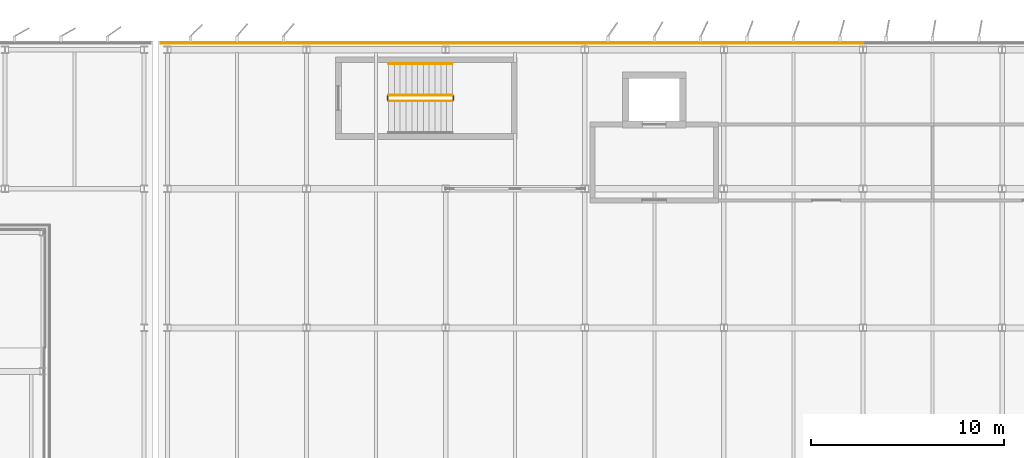
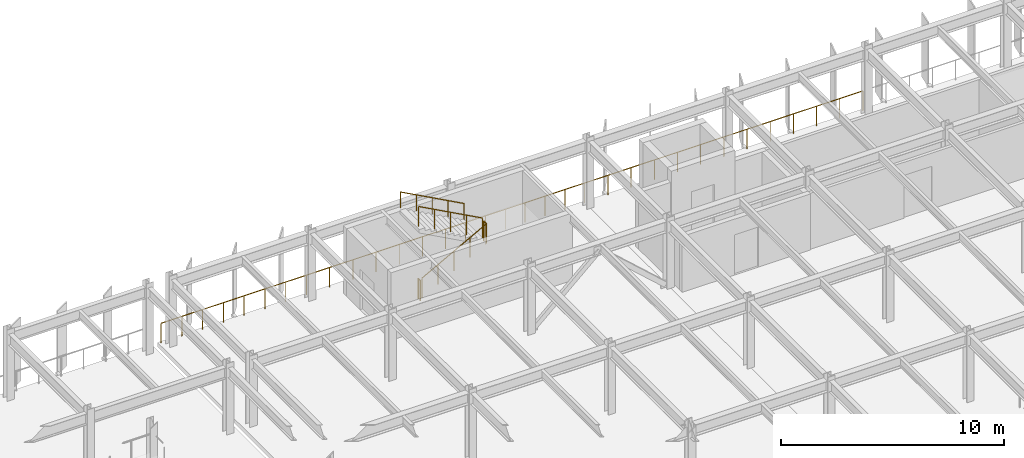
# One storey, part 66 of 80: 10 railings.
"""IFC4 building model written with IfcOpenShell, lengths in metres."""

from ifc_helpers import new_model, si_unit, direction, frame, origin, origin_2d, place, context, subcontext, project, spatial, circle, extrude, material, layer, layer_set, type_object, element, save


model = new_model("IFC4")

# Units and contexts
model_context = context("Model", 3, precision=1e-05, world=origin(), true_north=direction((0.0, 1.0)))
body_context = subcontext(model_context, "Body", "Model", "MODEL_VIEW")
ifc_project = project(units=[si_unit("LENGTHUNIT", "METRE"), si_unit("AREAUNIT", "SQUARE_METRE"), si_unit("VOLUMEUNIT", "CUBIC_METRE"), si_unit("PLANEANGLEUNIT", "RADIAN"), si_unit("MASSUNIT", "GRAM", prefix="KILO")], contexts=[model_context])

# Site, building, storey
site_placement = place(None, origin())
site = spatial("IfcSite", under=ifc_project, at=site_placement, CompositionType="ELEMENT")
building_placement = place(site_placement, origin())
building = spatial("IfcBuilding", under=site, at=building_placement, Name="Vaelcorin Mobility Hub", CompositionType="ELEMENT")
storey_placement = place(building_placement, frame((0.0, 0.0, 9.300048828125)))
storey = spatial("IfcBuildingStorey", under=building, at=storey_placement, Name="L02", CompositionType="ELEMENT", Elevation=9.300048828125)

# Railings
ifc_material_1 = material(Name="Galvanised structural steel ASTM A36", Category="steel")
ifc_layer_1 = layer(ifc_material_1, 0.070068359375)
ifc_layer_set_1 = layer_set([ifc_layer_1], Name="Galvanised structural steel ASTM A36")
railing_type_1 = type_object("IfcRailingType", Name="RL-GUARD-1100", PredefinedType="BALUSTRADE", material=ifc_layer_set_1)
railing_1_placement = place(storey_placement, frame((35.669921875, 120.330078125, 0.0)))
element("IfcRailing", 1, at=railing_1_placement, inside=storey, type_object=railing_type_1, Name="L02 Perimeter Guard GR-V4-L02-N-01-01", PredefinedType="BALUSTRADE", context=body_context, shape_type="SweptSolid", body=[
    extrude(circle(Radius=0.02392578125, at=origin_2d()), frame((0.0, 0.0, 1.076171875), z_axis=(1.0, 0.0, 0.0), x_axis=(0.0, 1.0, 0.0)), (0.0, 0.0, 1.0), 7.530029296875),
    extrude(circle(Radius=0.02099609375, at=origin_2d()), origin(), (0.0, 0.0, 1.0), 1.052001953125),
    extrude(circle(Radius=0.02099609375, at=origin_2d()), frame((1.07568359375, 0.0, 0.0)), (0.0, 0.0, 1.0), 1.052001953125),
    extrude(circle(Radius=0.02099609375, at=origin_2d()), frame((2.1513671875, 0.0, 0.0)), (0.0, 0.0, 1.0), 1.052001953125),
    extrude(circle(Radius=0.02099609375, at=origin_2d()), frame((3.22705078125, 0.0, 0.0)), (0.0, 0.0, 1.0), 1.052001953125),
    extrude(circle(Radius=0.02099609375, at=origin_2d()), frame((4.302978515625, 0.0, 0.0)), (0.0, 0.0, 1.0), 1.052001953125),
    extrude(circle(Radius=0.02099609375, at=origin_2d()), frame((5.378662109375, 0.0, 0.0)), (0.0, 0.0, 1.0), 1.052001953125),
    extrude(circle(Radius=0.02099609375, at=origin_2d()), frame((6.454345703125, 0.0, 0.0)), (0.0, 0.0, 1.0), 1.052001953125),
    extrude(circle(Radius=0.02099609375, at=origin_2d()), frame((7.530029296875, 0.0, 0.0)), (0.0, 0.0, 1.0), 1.052001953125),
])
railing_2_placement = place(storey_placement, frame((43.199951171875, 120.330078125, 0.0)))
element("IfcRailing", 2, at=railing_2_placement, inside=storey, type_object=railing_type_1, Name="L02 Perimeter Guard GR-V4-L02-N-02-01", PredefinedType="BALUSTRADE", context=body_context, shape_type="SweptSolid", body=[
    extrude(circle(Radius=0.02392578125, at=origin_2d()), frame((0.0, 0.0, 1.076171875), z_axis=(1.0, 0.0, 0.0), x_axis=(0.0, 1.0, 0.0)), (0.0, 0.0, 1.0), 7.199951171875),
    extrude(circle(Radius=0.02099609375, at=origin_2d()), origin(), (0.0, 0.0, 1.0), 1.052001953125),
    extrude(circle(Radius=0.02099609375, at=origin_2d()), frame((1.199951171875, 0.0, 0.0)), (0.0, 0.0, 1.0), 1.052001953125),
    extrude(circle(Radius=0.02099609375, at=origin_2d()), frame((2.39990234375, 0.0, 0.0)), (0.0, 0.0, 1.0), 1.052001953125),
    extrude(circle(Radius=0.02099609375, at=origin_2d()), frame((3.60009765625, 0.0, 0.0)), (0.0, 0.0, 1.0), 1.052001953125),
    extrude(circle(Radius=0.02099609375, at=origin_2d()), frame((4.800048828125, 0.0, 0.0)), (0.0, 0.0, 1.0), 1.052001953125),
    extrude(circle(Radius=0.02099609375, at=origin_2d()), frame((6.0, 0.0, 0.0)), (0.0, 0.0, 1.0), 1.052001953125),
    extrude(circle(Radius=0.02099609375, at=origin_2d()), frame((7.199951171875, 0.0, 0.0)), (0.0, 0.0, 1.0), 1.052001953125),
])
railing_3_placement = place(storey_placement, frame((50.39990234375, 120.330078125, 0.0)))
element("IfcRailing", 3, at=railing_3_placement, inside=storey, type_object=railing_type_1, Name="L02 Perimeter Guard GR-V4-L02-N-03-01", PredefinedType="BALUSTRADE", context=body_context, shape_type="SweptSolid", body=[
    extrude(circle(Radius=0.02392578125, at=origin_2d()), frame((0.0, 0.0, 1.076171875), z_axis=(1.0, 0.0, 0.0), x_axis=(0.0, 1.0, 0.0)), (0.0, 0.0, 1.0), 7.2001953125),
    extrude(circle(Radius=0.02099609375, at=origin_2d()), origin(), (0.0, 0.0, 1.0), 1.052001953125),
    extrude(circle(Radius=0.02099609375, at=origin_2d()), frame((1.028564453125, 0.0, 0.0)), (0.0, 0.0, 1.0), 1.052001953125),
    extrude(circle(Radius=0.02099609375, at=origin_2d()), frame((2.05712890625, 0.0, 0.0)), (0.0, 0.0, 1.0), 1.052001953125),
    extrude(circle(Radius=0.02099609375, at=origin_2d()), frame((3.085693359375, 0.0, 0.0)), (0.0, 0.0, 1.0), 1.052001953125),
    extrude(circle(Radius=0.02099609375, at=origin_2d()), frame((4.114501953125, 0.0, 0.0)), (0.0, 0.0, 1.0), 1.052001953125),
    extrude(circle(Radius=0.02099609375, at=origin_2d()), frame((5.14306640625, 0.0, 0.0)), (0.0, 0.0, 1.0), 1.052001953125),
    extrude(circle(Radius=0.02099609375, at=origin_2d()), frame((6.171630859375, 0.0, 0.0)), (0.0, 0.0, 1.0), 1.052001953125),
    extrude(circle(Radius=0.02099609375, at=origin_2d()), frame((7.2001953125, 0.0, 0.0)), (0.0, 0.0, 1.0), 1.052001953125),
])
for number, where, name in (
    (4, (57.60009765625, 120.330078125, 0.0), "L02 Perimeter Guard GR-V4-L02-N-04-01"),
    (5, (64.800048828125, 120.330078125, 0.0), "L02 Perimeter Guard GR-V4-L02-N-05-01"),
):
    element("IfcRailing", number, at=place(storey_placement, frame(where)), inside=storey, type_object=railing_type_1, Name=name, PredefinedType="BALUSTRADE", context=body_context, shape_type="SweptSolid", body=[
        extrude(circle(Radius=0.02392578125, at=origin_2d()), frame((0.0, 0.0, 1.076171875), z_axis=(1.0, 0.0, 0.0), x_axis=(0.0, 1.0, 0.0)), (0.0, 0.0, 1.0), 7.199951171875),
        extrude(circle(Radius=0.02099609375, at=origin_2d()), origin(), (0.0, 0.0, 1.0), 1.052001953125),
        extrude(circle(Radius=0.02099609375, at=origin_2d()), frame((1.199951171875, 0.0, 0.0)), (0.0, 0.0, 1.0), 1.052001953125),
        extrude(circle(Radius=0.02099609375, at=origin_2d()), frame((2.39990234375, 0.0, 0.0)), (0.0, 0.0, 1.0), 1.052001953125),
        extrude(circle(Radius=0.02099609375, at=origin_2d()), frame((3.60009765625, 0.0, 0.0)), (0.0, 0.0, 1.0), 1.052001953125),
        extrude(circle(Radius=0.02099609375, at=origin_2d()), frame((4.800048828125, 0.0, 0.0)), (0.0, 0.0, 1.0), 1.052001953125),
        extrude(circle(Radius=0.02099609375, at=origin_2d()), frame((6.0, 0.0, 0.0)), (0.0, 0.0, 1.0), 1.052001953125),
        extrude(circle(Radius=0.02099609375, at=origin_2d()), frame((7.199951171875, 0.0, 0.0)), (0.0, 0.0, 1.0), 1.052001953125),
    ])
ifc_material_2 = material(Name="Brushed stainless steel 316L", Category="steel")
ifc_layer_2 = layer(ifc_material_2, 0.048095703125)
ifc_layer_set_2 = layer_set([ifc_layer_2], Name="Brushed stainless steel 316L")
railing_type_2 = type_object("IfcRailingType", Name="RL-STAIR-GRD", PredefinedType="GUARDRAIL", material=ifc_layer_set_2)
railing_4_placement = place(storey_placement, frame((47.449951171875, 117.340087890625, 0.162353515625)))
element("IfcRailing", 6, at=railing_4_placement, inside=storey, type_object=railing_type_2, Name="L02 ST3 stair guard 1", PredefinedType="GUARDRAIL", context=body_context, shape_type="SweptSolid", body=[
    extrude(circle(Radius=0.02392578125, at=origin_2d()), frame((0.0, 0.0, 1.076171875), z_axis=(0.879284020681, 0.0, 0.476297817521), x_axis=(0.0, 1.0, 0.0)), (0.0, 0.0, 1.0), 3.753173828125),
    extrude(circle(Radius=0.02099609375, at=origin_2d()), origin(), (0.0, 0.0, 1.0), 1.052001953125),
    extrude(circle(Radius=0.02099609375, at=origin_2d()), frame((0.824951171875, 0.0, 0.44677734375)), (0.0, 0.0, 1.0), 1.052001953125),
    extrude(circle(Radius=0.02099609375, at=origin_2d()), frame((1.64990234375, 0.0, 0.893798828125)), (0.0, 0.0, 1.0), 1.052001953125),
    extrude(circle(Radius=0.02099609375, at=origin_2d()), frame((2.47509765625, 0.0, 1.3408203125)), (0.0, 0.0, 1.0), 1.052001953125),
    extrude(circle(Radius=0.02099609375, at=origin_2d()), frame((3.300048828125, 0.0, 1.78759765625)), (0.0, 0.0, 1.0), 1.052001953125),
])
railing_5_placement = place(storey_placement, frame((50.800048828125, 117.389892578125, 1.949951171875)))
element("IfcRailing", 7, at=railing_5_placement, inside=storey, type_object=railing_type_2, Name="L02 ST3 stair guard 2", PredefinedType="GUARDRAIL", context=body_context, shape_type="SweptSolid", body=[
    extrude(circle(Radius=0.02392578125, at=origin_2d()), frame((0.0, 0.0, 1.076171875), z_axis=(0.0, 1.0, 0.0), x_axis=(-1.0, 0.0, 0.0)), (0.0, 0.0, 1.0), 0.2001953125),
    extrude(circle(Radius=0.02099609375, at=origin_2d()), origin(), (0.0, 0.0, 1.0), 1.052001953125),
    extrude(circle(Radius=0.02099609375, at=origin_2d()), frame((0.0, 0.2001953125, 0.0)), (0.0, 0.0, 1.0), 1.052001953125),
])
railing_6_placement = place(storey_placement, frame((50.75, 117.639892578125, 2.112548828125)))
element("IfcRailing", 8, at=railing_6_placement, inside=storey, type_object=railing_type_2, Name="L02 ST3 stair guard 3", PredefinedType="GUARDRAIL", context=body_context, shape_type="SweptSolid", body=[
    extrude(circle(Radius=0.02392578125, at=origin_2d()), frame((0.0, 0.0, 1.076171875), z_axis=(-0.879311263194, 0.0, 0.47624752222), x_axis=(0.0, -1.0, 0.0)), (0.0, 0.0, 1.0), 3.7529296875),
    extrude(circle(Radius=0.02099609375, at=origin_2d()), origin(), (0.0, 0.0, 1.0), 1.052001953125),
    extrude(circle(Radius=0.02099609375, at=origin_2d()), frame((-0.824951171875, 0.0, 0.44677734375)), (0.0, 0.0, 1.0), 1.052001953125),
    extrude(circle(Radius=0.02099609375, at=origin_2d()), frame((-1.64990234375, 0.0, 0.8935546875)), (0.0, 0.0, 1.0), 1.052001953125),
    extrude(circle(Radius=0.02099609375, at=origin_2d()), frame((-2.47509765625, 0.0, 1.340576171875)), (0.0, 0.0, 1.0), 1.052001953125),
    extrude(circle(Radius=0.02099609375, at=origin_2d()), frame((-3.300048828125, 0.0, 1.787353515625)), (0.0, 0.0, 1.0), 1.052001953125),
])
railing_7_placement = place(storey_placement, frame((47.39990234375, 117.389892578125, 0.0)))
element("IfcRailing", 9, at=railing_7_placement, inside=storey, type_object=railing_type_2, Name="L02 ST3 stair guard 4", PredefinedType="GUARDRAIL", context=body_context, shape_type="SweptSolid", body=[
    extrude(circle(Radius=0.02392578125, at=origin_2d()), frame((0.0, 0.0, 1.076171875), z_axis=(0.0, 1.0, 0.0), x_axis=(-1.0, 0.0, 0.0)), (0.0, 0.0, 1.0), 0.2001953125),
    extrude(circle(Radius=0.02099609375, at=origin_2d()), origin(), (0.0, 0.0, 1.0), 1.052001953125),
    extrude(circle(Radius=0.02099609375, at=origin_2d()), frame((0.0, 0.2001953125, 0.0)), (0.0, 0.0, 1.0), 1.052001953125),
])
ifc_layer_3 = layer(ifc_material_2, 0.048095703125)
ifc_layer_set_3 = layer_set([ifc_layer_3], Name="Brushed stainless steel 316L")
railing_type_3 = type_object("IfcRailingType", Name="RL-STAIR-HR", PredefinedType="HANDRAIL", material=ifc_layer_set_3)
railing_8_placement = place(storey_placement, frame((50.75, 119.280029296875, 2.112548828125)))
element("IfcRailing", 10, at=railing_8_placement, inside=storey, type_object=railing_type_3, Name="L02 ST3 stair handrail 2", PredefinedType="HANDRAIL", context=body_context, shape_type="SweptSolid", body=[
    extrude(circle(Radius=0.02392578125, at=origin_2d()), frame((0.0, 0.0, 0.8759765625), z_axis=(-0.879311263194, 0.0, 0.47624752222), x_axis=(0.0, -1.0, 0.0)), (0.0, 0.0, 1.0), 3.7529296875),
    extrude(circle(Radius=0.02099609375, at=origin_2d()), origin(), (0.0, 0.0, 1.0), 0.851806640625),
    extrude(circle(Radius=0.02099609375, at=origin_2d()), frame((-0.824951171875, 0.0, 0.44677734375)), (0.0, 0.0, 1.0), 0.851806640625),
    extrude(circle(Radius=0.02099609375, at=origin_2d()), frame((-1.64990234375, 0.0, 0.8935546875)), (0.0, 0.0, 1.0), 0.851806640625),
    extrude(circle(Radius=0.02099609375, at=origin_2d()), frame((-2.47509765625, 0.0, 1.340576171875)), (0.0, 0.0, 1.0), 0.851806640625),
    extrude(circle(Radius=0.02099609375, at=origin_2d()), frame((-3.300048828125, 0.0, 1.787353515625)), (0.0, 0.0, 1.0), 0.851806640625),
])

save(model, "model.ifc")
